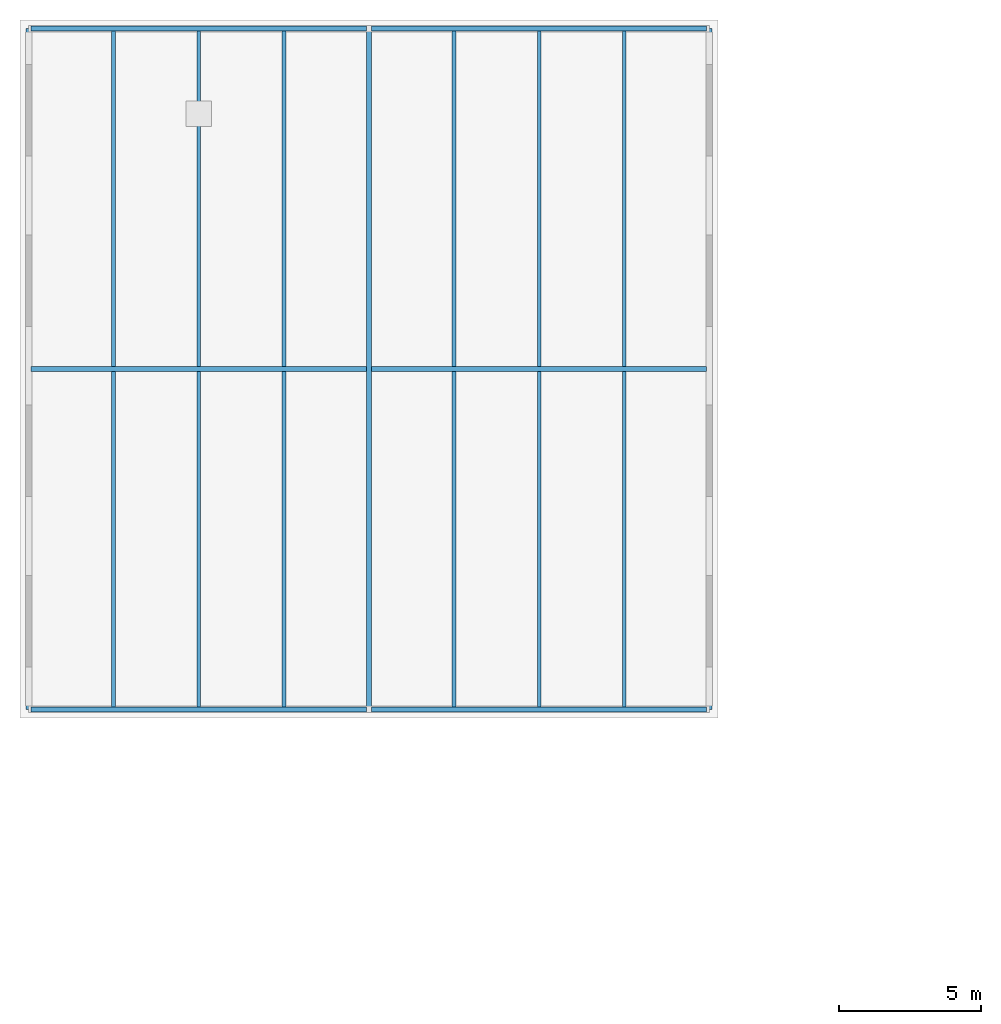
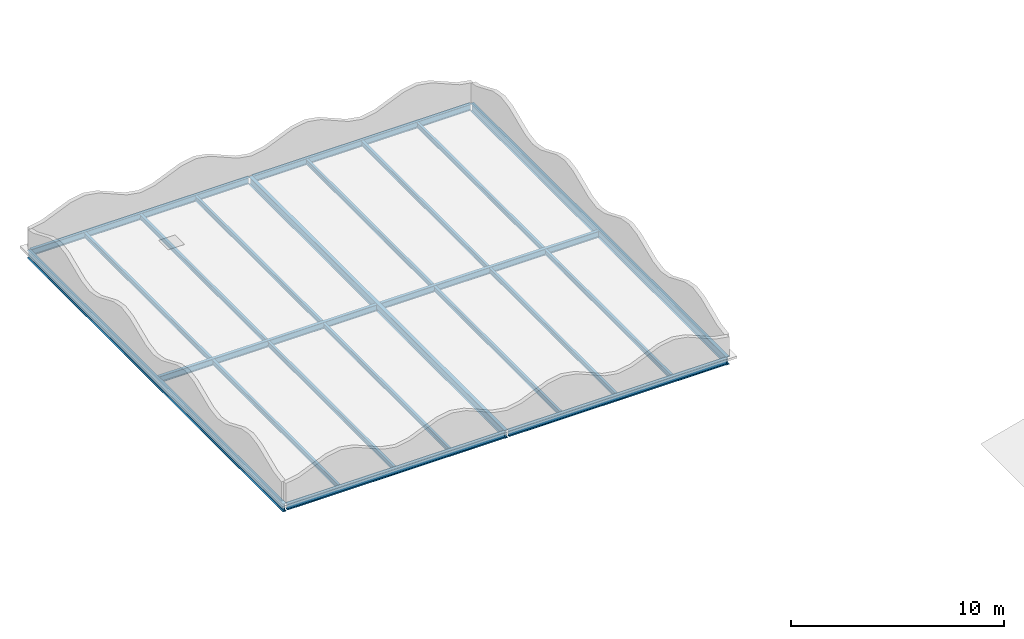
# One storey, part 42 of 91: 12 members, 9 beams.
"""IFC4 building model written with IfcOpenShell, lengths in metres."""

from ifc_helpers import new_model, si_unit, direction, frame, origin, origin_2d, place, context, subcontext, project, spatial, i_section, extrude, material, material_profile, profile_set, type_object, element, save


model = new_model("IFC4")

# Units and contexts
model_context = context("Model", 3, precision=1e-05, world=origin(), true_north=direction((0.0, 1.0)))
body_context = subcontext(model_context, "Body", "Model", "MODEL_VIEW")
ifc_project = project(units=[si_unit("LENGTHUNIT", "METRE"), si_unit("AREAUNIT", "SQUARE_METRE"), si_unit("VOLUMEUNIT", "CUBIC_METRE"), si_unit("PLANEANGLEUNIT", "RADIAN"), si_unit("MASSUNIT", "GRAM", prefix="KILO")], contexts=[model_context])

# Site, building, storey
site_placement = place(None, origin())
site = spatial("IfcSite", under=ifc_project, at=site_placement, CompositionType="ELEMENT")
building_placement = place(site_placement, origin())
building = spatial("IfcBuilding", under=site, at=building_placement, Name="Ravi Spectrum Wholesale Market", CompositionType="ELEMENT")
storey_placement = place(building_placement, frame((0.0, 0.0, 16.199951171875)))
storey = spatial("IfcBuildingStorey", under=building, at=storey_placement, Name="ROOF PLANT LEVEL", CompositionType="ELEMENT", Elevation=16.199951171875)

# Members
ifc_material_1 = material(Name="Steel S355", Category="steel")
ifc_material_profile_1 = material_profile(ifc_material_1, i_section(OverallWidth=0.135009765625, OverallDepth=0.27001953125, WebThickness=0.006591796875, FlangeThickness=0.01025390625, at=origin_2d()))
ifc_profile_set_1 = profile_set([ifc_material_profile_1], Name="Steel S355")
member_type = type_object("IfcMemberType", Name="IPE 270 purlin", PredefinedType="PURLIN", material=ifc_profile_set_1)
for number, where, z_axis, x_axis, name in (
    (1, (15.0, 210.0849609375, -0.2548828125), (0.0, 1.0, 0.0), (-1.0, 0.0, 0.0), "OF-MB-ROOF-001"),
    (2, (15.0, 222.0849609375, -0.2548828125), (0.0, 1.0, 0.0), (-1.0, 0.0, 0.0), "OF-MB-ROOF-002"),
    (3, (18.0, 210.0849609375, -0.2548828125), (0.0, 1.0, 0.0), (-1.0, 0.0, 0.0), "OF-MB-ROOF-003"),
    (4, (18.0, 222.0849609375, -0.2548828125), (0.0, 1.0, 0.0), (-1.0, 0.0, 0.0), "OF-MB-ROOF-004"),
    (5, (21.0, 210.0849609375, -0.2548828125), (0.0, 1.0, 0.0), (-1.0, 0.0, 0.0), "OF-MB-ROOF-005"),
    (6, (21.0, 222.0849609375, -0.2548828125), (0.0, 1.0, 0.0), (-1.0, 0.0, 0.0), "OF-MB-ROOF-006"),
    (7, (27.0, 210.0849609375, -0.2548828125), (0.0, 1.0, 0.0), (-1.0, 0.0, 0.0), "OF-MB-ROOF-007"),
    (8, (27.0, 222.0849609375, -0.2548828125), (0.0, 1.0, 0.0), (-1.0, 0.0, 0.0), "OF-MB-ROOF-008"),
    (9, (30.0, 210.0849609375, -0.2548828125), (0.0, 1.0, 0.0), (-1.0, 0.0, 0.0), "OF-MB-ROOF-009"),
    (10, (30.0, 222.0849609375, -0.2548828125), (0.0, 1.0, 0.0), (-1.0, 0.0, 0.0), "OF-MB-ROOF-010"),
    (11, (33.0, 210.0849609375, -0.2548828125), (0.0, 1.0, 0.0), (-1.0, 0.0, 0.0), "OF-MB-ROOF-011"),
    (12, (33.0, 222.0849609375, -0.2548828125), (0.0, 1.0, 0.0), (-1.0, 0.0, 0.0), "OF-MB-ROOF-012"),
):
    element("IfcMember", number, at=place(storey_placement, frame(where, z_axis=z_axis, x_axis=x_axis)), inside=storey, type_object=member_type, Name=name, PredefinedType="PURLIN", context=body_context, shape_type="SweptSolid", body=[
        extrude(i_section(OverallWidth=0.135009765625, OverallDepth=0.27001953125, WebThickness=0.006591796875, FlangeThickness=0.01025390625, at=origin_2d()), origin(), (0.0, 0.0, 1.0), 11.830078125),
    ])

# Beams
ifc_material_2 = material(Name="Steel S355", Category="steel")
ifc_material_profile_2 = material_profile(ifc_material_2, i_section(OverallWidth=0.169921875, OverallDepth=0.360107421875, WebThickness=0.008056640625, FlangeThickness=0.0126953125, at=origin_2d()))
ifc_profile_set_2 = profile_set([ifc_material_profile_2], Name="Steel S355")
beam_type_1 = type_object("IfcBeamType", Name="IPE 360 beam", PredefinedType="BEAM", material=ifc_profile_set_2)
for number, where, z_axis, x_axis, name in (
    (13, (12.094970703125, 210.0, -0.300048828125), (1.0, 0.0, 0.0), (0.0, 1.0, 0.0), "OF-BM-ROOF-004"),
    (14, (24.094970703125, 210.0, -0.300048828125), (1.0, 0.0, 0.0), (0.0, 1.0, 0.0), "OF-BM-ROOF-005"),
    (15, (12.094970703125, 222.0, -0.300048828125), (1.0, 0.0, 0.0), (0.0, 1.0, 0.0), "OF-BM-ROOF-006"),
    (16, (24.094970703125, 222.0, -0.300048828125), (1.0, 0.0, 0.0), (0.0, 1.0, 0.0), "OF-BM-ROOF-007"),
    (17, (12.094970703125, 234.0, -0.300048828125), (1.0, 0.0, 0.0), (0.0, 1.0, 0.0), "OF-BM-ROOF-008"),
    (18, (24.094970703125, 234.0, -0.300048828125), (1.0, 0.0, 0.0), (0.0, 1.0, 0.0), "OF-BM-ROOF-009"),
):
    element("IfcBeam", number, at=place(storey_placement, frame(where, z_axis=z_axis, x_axis=x_axis)), inside=storey, type_object=beam_type_1, Name=name, PredefinedType="BEAM", context=body_context, shape_type="SweptSolid", body=[
        extrude(i_section(OverallWidth=0.169921875, OverallDepth=0.360107421875, WebThickness=0.008056640625, FlangeThickness=0.0126953125, at=origin_2d()), origin(), (0.0, 0.0, 1.0), 11.81005859375),
    ])
ifc_material_3 = material(Name="Steel S355", Category="steel")
ifc_material_profile_3 = material_profile(ifc_material_3, i_section(OverallWidth=0.18994140625, OverallDepth=0.449951171875, WebThickness=0.009521484375, FlangeThickness=0.0146484375, at=origin_2d()))
ifc_profile_set_3 = profile_set([ifc_material_profile_3], Name="Steel S355")
beam_type_2 = type_object("IfcBeamType", Name="IPE 450 beam", PredefinedType="BEAM", material=ifc_profile_set_3)
for number, where, z_axis, x_axis, name in (
    (19, (12.0, 210.0, -0.344970703125), (0.0, 1.0, 0.0), (-1.0, 0.0, 0.0), "OF-BM-ROOF-001"),
    (20, (24.0, 210.0, -0.344970703125), (0.0, 1.0, 0.0), (-1.0, 0.0, 0.0), "OF-BM-ROOF-002"),
    (21, (36.0, 210.0, -0.344970703125), (0.0, 1.0, 0.0), (-1.0, 0.0, 0.0), "OF-BM-ROOF-003"),
):
    element("IfcBeam", number, at=place(storey_placement, frame(where, z_axis=z_axis, x_axis=x_axis)), inside=storey, type_object=beam_type_2, Name=name, PredefinedType="BEAM", context=body_context, shape_type="SweptSolid", body=[
        extrude(i_section(OverallWidth=0.18994140625, OverallDepth=0.449951171875, WebThickness=0.009521484375, FlangeThickness=0.0146484375, at=origin_2d()), origin(), (0.0, 0.0, 1.0), 24.0),
    ])

save(model, "model.ifc")
